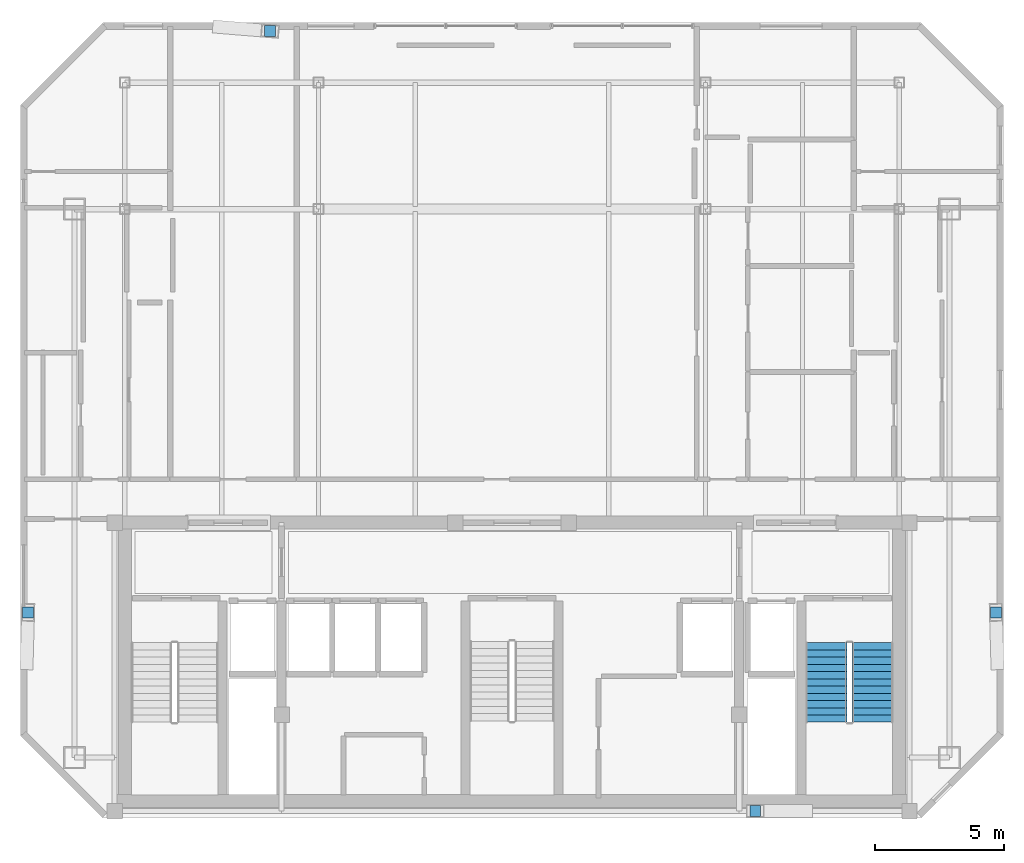
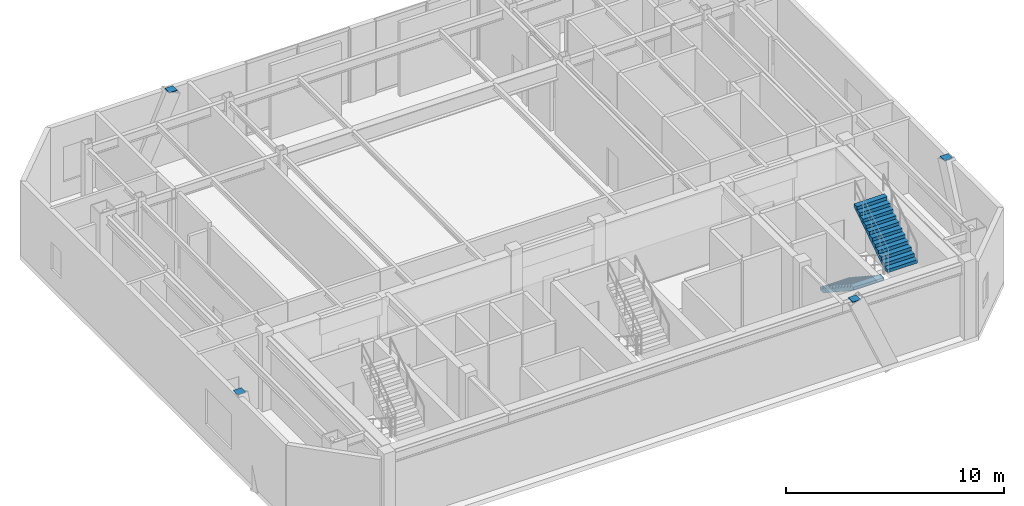
# One storey, part 9 of 10: 4 discrete accessories, 2 stair flights, 1 element without a shape of its own.
"""IFC4 building model written with IfcOpenShell, lengths in metres."""

from ifc_helpers import new_model, si_unit, direction, frame, origin, origin_2d, place, context, subcontext, project, spatial, polyline, rectangle, outline, extrude, material, type_object, element, aggregate, save


model = new_model("IFC4")

# Units and contexts
model_context = context("Model", 3, precision=1e-05, world=origin(), true_north=direction((0.0, 1.0)))
body_context = subcontext(model_context, "Body", "Model", "MODEL_VIEW")
ifc_project = project(units=[si_unit("LENGTHUNIT", "METRE"), si_unit("AREAUNIT", "SQUARE_METRE"), si_unit("VOLUMEUNIT", "CUBIC_METRE"), si_unit("PLANEANGLEUNIT", "RADIAN"), si_unit("MASSUNIT", "GRAM", prefix="KILO")], contexts=[model_context])

# Site, building, storey
site_placement = place(None, origin())
site = spatial("IfcSite", under=ifc_project, at=site_placement, CompositionType="ELEMENT")
building_placement = place(site_placement, origin())
building = spatial("IfcBuilding", under=site, at=building_placement, Name="Ventersveld Concourse Tower", CompositionType="ELEMENT")
storey_placement = place(building_placement, frame((0.0, 0.0, 357.85009765625)))
storey = spatial("IfcBuildingStorey", under=building, at=storey_placement, Name="L88", CompositionType="ELEMENT", Elevation=357.85009765625)

# Stair, stair flights
ifc_material_1 = material(Name="Concrete C50/60", Category="concrete")
stair_type = type_object("IfcStairType", Name="ST-DOG-160", PredefinedType="HALF_TURN_STAIR", material=ifc_material_1)
stair_placement = place(storey_placement, origin())
stair = element("IfcStair", 1, at=stair_placement, inside=storey, type_object=stair_type, Name="L88 Protected Tower Escape Stair ST-02", PredefinedType="HALF_TURN_STAIR")
stair_flight_type = type_object("IfcStairFlightType", Name="STF-RC-160", PredefinedType="STRAIGHT", material=ifc_material_1)
stair_flight_1_placement = place(storey_placement, frame((40.919921875, 6.800048828125, 0.0), z_axis=(0.0, 0.0, 1.0), x_axis=(0.0, -1.0, 0.0)))
stair_flight_1 = element("IfcStairFlight", 2, at=stair_flight_1_placement, type_object=stair_flight_type, Name="ST-02 flight 1", NumberOfRisers=12, NumberOfTreads=11, PredefinedType="STRAIGHT", RiserHeight=0.183333333, TreadLength=0.28, context=body_context, shape_type="SweptSolid", body=[
    extrude(outline(polyline([(0.0, 0.0), (0.0, 0.183349609375), (0.280029296875, 0.183349609375), (0.280029296875, 0.36669921875), (0.56005859375, 0.36669921875), (0.56005859375, 0.550048828125), (0.840087890625, 0.550048828125), (0.840087890625, 0.7333984375), (1.1201171875, 0.7333984375), (1.1201171875, 0.916748046875), (1.39990234375, 0.916748046875), (1.39990234375, 1.10009765625), (1.679931640625, 1.10009765625), (1.679931640625, 1.283447265625), (1.9599609375, 1.283447265625), (1.9599609375, 1.466552734375), (2.239990234375, 1.466552734375), (2.239990234375, 1.64990234375), (2.52001953125, 1.64990234375), (2.52001953125, 1.833251953125), (2.800048828125, 1.833251953125), (2.800048828125, 2.0166015625), (3.080078125, 2.0166015625), (3.080078125, 2.199951171875), (3.080078125, 1.83740234375), (0.273681640625, 0.0), (0.0, 0.0)])), frame((0.0, 0.800048828125, 0.0), z_axis=(0.0, -1.0, 0.0), x_axis=(1.0, 0.0, 0.0)), (0.0, 0.0, 1.0), 1.60009765625),
])
stair_flight_2_placement = place(storey_placement, frame((42.719970703125, 3.719970703125, 2.199951171875), z_axis=(0.0, 0.0, 1.0), x_axis=(0.0, 1.0, 0.0)))
stair_flight_2 = element("IfcStairFlight", 3, at=stair_flight_2_placement, type_object=stair_flight_type, Name="ST-02 flight 2", NumberOfRisers=12, NumberOfTreads=11, PredefinedType="STRAIGHT", RiserHeight=0.183333333, TreadLength=0.28, context=body_context, shape_type="SweptSolid", body=[
    extrude(outline(polyline([(0.0, 0.0), (0.0, 0.183349609375), (0.280029296875, 0.183349609375), (0.280029296875, 0.36669921875), (0.56005859375, 0.36669921875), (0.56005859375, 0.550048828125), (0.840087890625, 0.550048828125), (0.840087890625, 0.7333984375), (1.1201171875, 0.7333984375), (1.1201171875, 0.916748046875), (1.39990234375, 0.916748046875), (1.39990234375, 1.10009765625), (1.679931640625, 1.10009765625), (1.679931640625, 1.283447265625), (1.9599609375, 1.283447265625), (1.9599609375, 1.466552734375), (2.239990234375, 1.466552734375), (2.239990234375, 1.64990234375), (2.52001953125, 1.64990234375), (2.52001953125, 1.833251953125), (2.800048828125, 1.833251953125), (2.800048828125, 2.0166015625), (3.080078125, 2.0166015625), (3.080078125, 2.199951171875), (3.080078125, 1.83740234375), (0.273681640625, 0.0), (0.0, 0.0)])), frame((0.0, 0.800048828125, 0.0), z_axis=(0.0, -1.0, 0.0), x_axis=(1.0, 0.0, 0.0)), (0.0, 0.0, 1.0), 1.60009765625),
])
aggregate(stair, [stair_flight_1, stair_flight_2])

# Discrete accessories
ifc_material_2 = material(Name="Structural steel S355J2", Category="steel")
discrete_accessory_type = type_object("IfcDiscreteAccessoryType", Name="CONN-BRACE-ECP1", PredefinedType="BRACKET", material=ifc_material_2)
for number, where, z_axis, x_axis, name in (
    (4, (19.375, 30.494140625, 4.119873046875), (0.0, 0.0, 1.0), (1.0, 0.0, 0.0), "L88 Steel Brace End Connection Plate ECP1-0534"),
    (5, (38.175048828125, 0.280029296875, 4.119873046875), (0.0, 0.0, 1.0), (1.0, 0.0, 0.0), "L88 Steel Brace End Connection Plate ECP1-0538"),
    (6, (10.001708984375, 7.97509765625, 4.119873046875), (0.0, 0.0, 1.0), (1.0, 0.0, 0.0), "L88 Steel Brace End Connection Plate ECP1-0542"),
    (7, (47.498291015625, 7.97509765625, 4.119873046875), (0.0, 0.0, 1.0), (1.0, 0.0, 0.0), "L88 Steel Brace End Connection Plate ECP1-0546"),
):
    element("IfcDiscreteAccessory", number, at=place(storey_placement, frame(where, z_axis=z_axis, x_axis=x_axis)), inside=storey, type_object=discrete_accessory_type, Name=name, PredefinedType="BRACKET", context=body_context, shape_type="SweptSolid", body=[
        extrude(rectangle(XDim=0.419921875, YDim=0.419921875, at=origin_2d()), origin(), (0.0, 0.0, 1.0), 0.0400390625),
    ])

save(model, "model.ifc")
